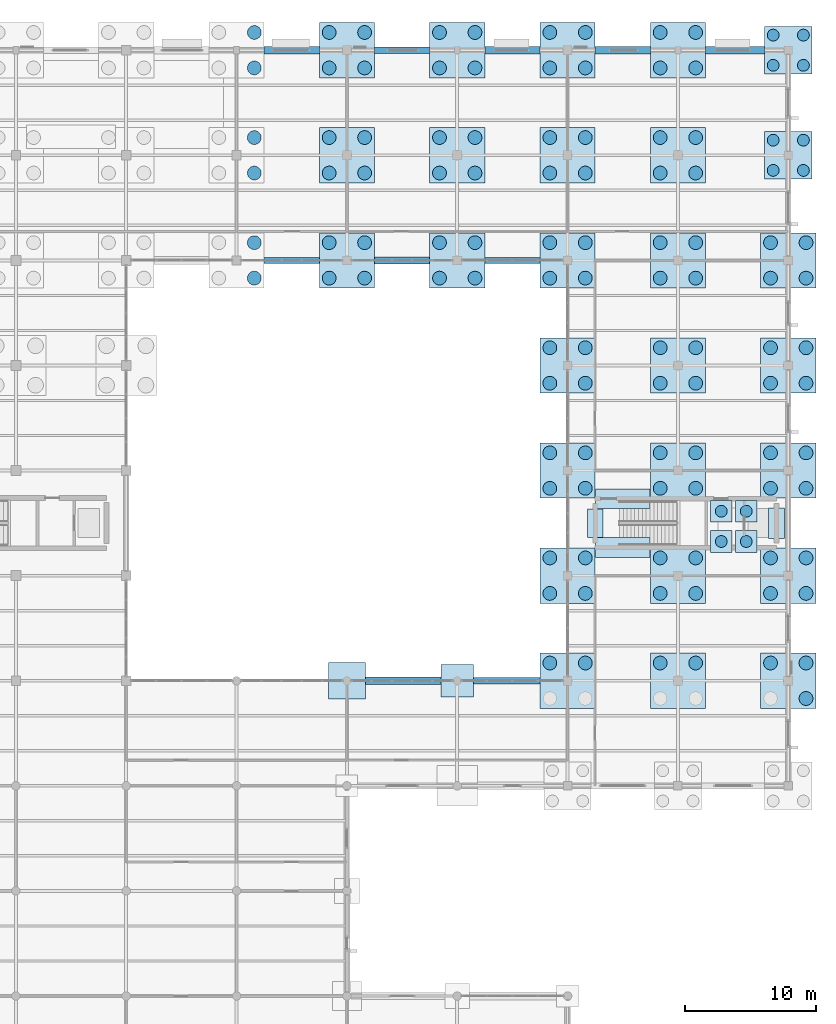
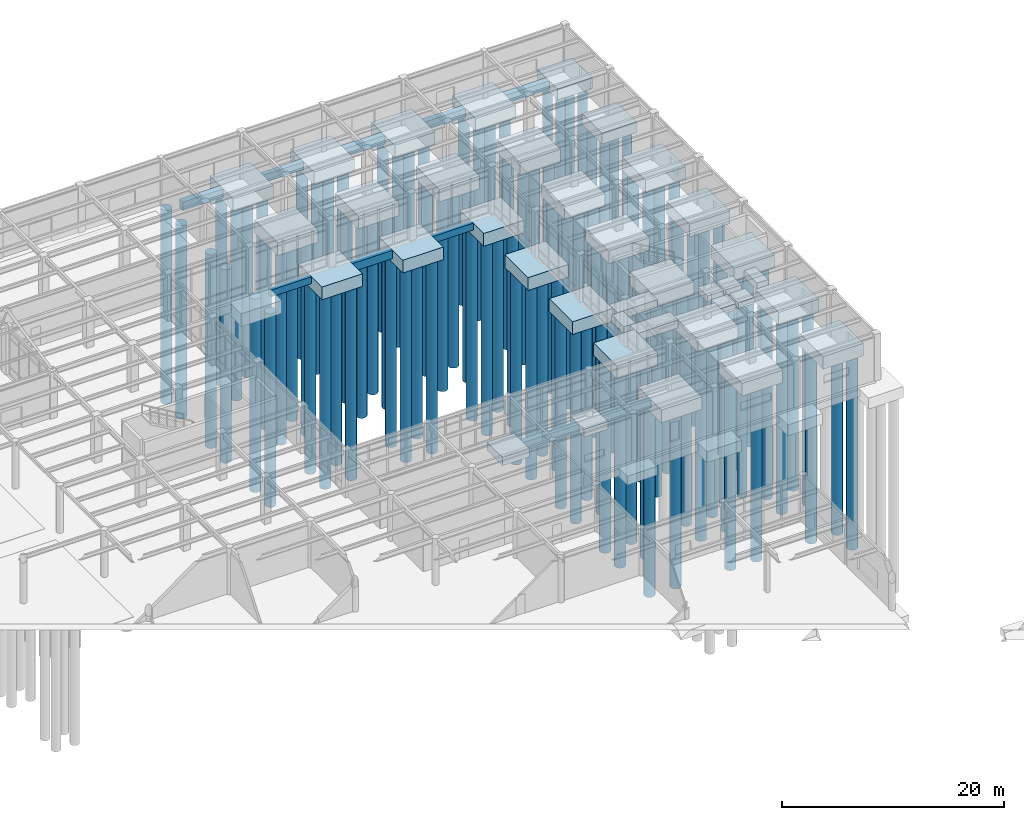
# One storey, part 4 of 138: 113 piles, 47 footings.
"""IFC4 building model written with IfcOpenShell, lengths in metres."""

from ifc_helpers import new_model, si_unit, direction, frame, origin, origin_2d, place, context, subcontext, project, spatial, rectangle, circle, extrude, material, material_profile, profile_set, type_object, element, save


model = new_model("IFC4")

# Units and contexts
model_context = context("Model", 3, precision=1e-05, world=origin(), true_north=direction((0.0, 1.0)))
body_context = subcontext(model_context, "Body", "Model", "MODEL_VIEW")
ifc_project = project(units=[si_unit("LENGTHUNIT", "METRE"), si_unit("AREAUNIT", "SQUARE_METRE"), si_unit("VOLUMEUNIT", "CUBIC_METRE"), si_unit("PLANEANGLEUNIT", "RADIAN"), si_unit("MASSUNIT", "GRAM", prefix="KILO")], contexts=[model_context])

# Site, building, storey
site_placement = place(None, origin())
site = spatial("IfcSite", under=ifc_project, at=site_placement, CompositionType="ELEMENT")
building_placement = place(site_placement, origin())
building = spatial("IfcBuilding", under=site, at=building_placement, Name="Kranzveld Transit Interchange", CompositionType="ELEMENT")
storey_placement = place(building_placement, origin())
storey = spatial("IfcBuildingStorey", under=building, at=storey_placement, Name="L00", CompositionType="ELEMENT", Elevation=0.0)

# Footings
ifc_material_1 = material(Name="Concrete C40/50", Category="concrete")
ifc_material_profile_1 = material_profile(ifc_material_1, rectangle(XDim=0.449951171875, YDim=0.75, at=origin_2d()), Name="RC 450x750")
ifc_profile_set_1 = profile_set([ifc_material_profile_1], Name="Concrete C40/50")
footing_type_1 = type_object("IfcFootingType", Name="Footing Beam 450x750 C40/50", PredefinedType="FOOTING_BEAM", material=ifc_profile_set_1)
footing_1_placement = place(storey_placement, frame((128.10009765625, 96.0, -0.794921875), z_axis=(1.0, 0.0, 0.0), x_axis=(0.0, 1.0, 0.0)))
element("IfcFooting", 1, at=footing_1_placement, inside=storey, type_object=footing_type_1, Name="Ground Tie Beam 16-17/N", PredefinedType="FOOTING_BEAM", context=body_context, shape_type="SweptSolid", body=[
    extrude(rectangle(XDim=0.449951171875, YDim=0.75, at=origin_2d()), origin(), (0.0, 0.0, 1.0), 4.199951171875),
])
footing_2_placement = place(storey_placement, frame((144.89990234375, 96.0, -0.794921875), z_axis=(1.0, 0.0, 0.0), x_axis=(0.0, 1.0, 0.0)))
element("IfcFooting", 2, at=footing_2_placement, inside=storey, type_object=footing_type_1, Name="Ground Tie Beam 18-19/N", PredefinedType="FOOTING_BEAM", context=body_context, shape_type="SweptSolid", body=[
    extrude(rectangle(XDim=0.449951171875, YDim=0.75, at=origin_2d()), origin(), (0.0, 0.0, 1.0), 4.2001953125),
])
ifc_material_2 = material(Name="Concrete C40/50", Category="concrete")
ifc_material_profile_2 = material_profile(ifc_material_2, rectangle(XDim=0.5, YDim=0.85009765625, at=origin_2d()), Name="RC 500x850")
ifc_profile_set_2 = profile_set([ifc_material_profile_2], Name="Concrete C40/50")
footing_type_2 = type_object("IfcFootingType", Name="Footing Beam 500x850 C40/50", PredefinedType="FOOTING_BEAM", material=ifc_profile_set_2)
footing_3_placement = place(storey_placement, frame((136.5, 112.0, -0.844970703125), z_axis=(1.0, 0.0, 0.0), x_axis=(0.0, 1.0, 0.0)))
element("IfcFooting", 3, at=footing_3_placement, inside=storey, type_object=footing_type_2, Name="Ground Tie Beam 17-18/Q", PredefinedType="FOOTING_BEAM", context=body_context, shape_type="SweptSolid", body=[
    extrude(rectangle(XDim=0.5, YDim=0.85009765625, at=origin_2d()), origin(), (0.0, 0.0, 1.0), 4.199951171875),
])
footing_4_placement = place(storey_placement, frame((144.050048828125, 64.0, -0.844970703125), z_axis=(1.0, 0.0, 0.0), x_axis=(0.0, 1.0, 0.0)))
element("IfcFooting", 4, at=footing_4_placement, inside=storey, type_object=footing_type_2, Name="Ground Tie Beam 18-19/J", PredefinedType="FOOTING_BEAM", context=body_context, shape_type="SweptSolid", body=[
    extrude(rectangle(XDim=0.5, YDim=0.85009765625, at=origin_2d()), origin(), (0.0, 0.0, 1.0), 5.050048828125),
])
ifc_material_3 = material(Name="Concrete C40/50", Category="concrete")
ifc_material_profile_3 = material_profile(ifc_material_3, rectangle(XDim=0.550048828125, YDim=0.89990234375, at=origin_2d()), Name="RC 550x900")
ifc_profile_set_3 = profile_set([ifc_material_profile_3], Name="Concrete C40/50")
footing_type_3 = type_object("IfcFootingType", Name="Footing Beam 550x900 C40/50", PredefinedType="FOOTING_BEAM", material=ifc_profile_set_3)
footing_5_placement = place(storey_placement, frame((136.5, 96.0, -0.8701171875), z_axis=(1.0, 0.0, 0.0), x_axis=(0.0, 1.0, 0.0)))
element("IfcFooting", 5, at=footing_5_placement, inside=storey, type_object=footing_type_3, Name="Ground Tie Beam 17-18/N", PredefinedType="FOOTING_BEAM", context=body_context, shape_type="SweptSolid", body=[
    extrude(rectangle(XDim=0.550048828125, YDim=0.89990234375, at=origin_2d()), origin(), (0.0, 0.0, 1.0), 4.199951171875),
])
ifc_material_4 = material(Name="Concrete C40/50", Category="concrete")
ifc_material_profile_4 = material_profile(ifc_material_4, rectangle(XDim=0.60009765625, YDim=0.949951171875, at=origin_2d()), Name="RC 600x950")
ifc_profile_set_4 = profile_set([ifc_material_profile_4], Name="Concrete C40/50")
footing_type_4 = type_object("IfcFootingType", Name="Footing Beam 600x950 C40/50", PredefinedType="FOOTING_BEAM", material=ifc_profile_set_4)
footing_6_placement = place(storey_placement, frame((128.10009765625, 112.0, -0.89501953125), z_axis=(1.0, 0.0, 0.0), x_axis=(0.0, 1.0, 0.0)))
element("IfcFooting", 6, at=footing_6_placement, inside=storey, type_object=footing_type_4, Name="Ground Tie Beam 16-17/Q", PredefinedType="FOOTING_BEAM", context=body_context, shape_type="SweptSolid", body=[
    extrude(rectangle(XDim=0.60009765625, YDim=0.949951171875, at=origin_2d()), origin(), (0.0, 0.0, 1.0), 4.199951171875),
])
footing_7_placement = place(storey_placement, frame((135.800048828125, 64.0, -0.89501953125), z_axis=(1.0, 0.0, 0.0), x_axis=(0.0, 1.0, 0.0)))
element("IfcFooting", 7, at=footing_7_placement, inside=storey, type_object=footing_type_4, Name="Ground Tie Beam 17-18/J", PredefinedType="FOOTING_BEAM", context=body_context, shape_type="SweptSolid", body=[
    extrude(rectangle(XDim=0.60009765625, YDim=0.949951171875, at=origin_2d()), origin(), (0.0, 0.0, 1.0), 5.75),
])
footing_8_placement = place(storey_placement, frame((144.89990234375, 112.0, -0.89501953125), z_axis=(1.0, 0.0, 0.0), x_axis=(0.0, 1.0, 0.0)))
element("IfcFooting", 8, at=footing_8_placement, inside=storey, type_object=footing_type_4, Name="Ground Tie Beam 18-19/Q", PredefinedType="FOOTING_BEAM", context=body_context, shape_type="SweptSolid", body=[
    extrude(rectangle(XDim=0.60009765625, YDim=0.949951171875, at=origin_2d()), origin(), (0.0, 0.0, 1.0), 4.2001953125),
])
footing_9_placement = place(storey_placement, frame((153.300048828125, 112.0, -0.89501953125), z_axis=(1.0, 0.0, 0.0), x_axis=(0.0, 1.0, 0.0)))
element("IfcFooting", 9, at=footing_9_placement, inside=storey, type_object=footing_type_4, Name="Ground Tie Beam 19-20/Q", PredefinedType="FOOTING_BEAM", context=body_context, shape_type="SweptSolid", body=[
    extrude(rectangle(XDim=0.60009765625, YDim=0.949951171875, at=origin_2d()), origin(), (0.0, 0.0, 1.0), 4.199951171875),
])
footing_10_placement = place(storey_placement, frame((161.699951171875, 112.0, -0.89501953125), z_axis=(1.0, 0.0, 0.0), x_axis=(0.0, 1.0, 0.0)))
element("IfcFooting", 10, at=footing_10_placement, inside=storey, type_object=footing_type_4, Name="Ground Tie Beam 20-21/Q", PredefinedType="FOOTING_BEAM", context=body_context, shape_type="SweptSolid", body=[
    extrude(rectangle(XDim=0.60009765625, YDim=0.949951171875, at=origin_2d()), origin(), (0.0, 0.0, 1.0), 4.5),
])
ifc_material_5 = material(Name="Concrete C40/50", Category="concrete")
footing_type_5 = type_object("IfcFootingType", Name="Pad Footing 1650x1650x650 C40/50", PredefinedType="PAD_FOOTING", material=ifc_material_5)
for number, where, z_axis, x_axis, name in (
    (11, (162.89990234375, 74.60009765625, -1.669921875), (0.0, 0.0, 1.0), (1.0, 0.0, 0.0), "PIT-C4 Corner Pad Footing 1"),
    (12, (164.800048828125, 74.60009765625, -1.669921875), (0.0, 0.0, 1.0), (1.0, 0.0, 0.0), "PIT-C4 Corner Pad Footing 2"),
    (13, (162.89990234375, 76.89990234375, -1.669921875), (0.0, 0.0, 1.0), (1.0, 0.0, 0.0), "PIT-C4 Corner Pad Footing 3"),
    (14, (164.800048828125, 76.89990234375, -1.669921875), (0.0, 0.0, 1.0), (1.0, 0.0, 0.0), "PIT-C4 Corner Pad Footing 4"),
):
    element("IfcFooting", number, at=place(storey_placement, frame(where, z_axis=z_axis, x_axis=x_axis)), inside=storey, type_object=footing_type_5, Name=name, PredefinedType="PAD_FOOTING", context=body_context, shape_type="SweptSolid", body=[
        extrude(rectangle(XDim=1.64990234375, YDim=1.64990234375, at=origin_2d()), origin(), (0.0, 0.0, 1.0), 0.64990234375),
    ])
ifc_material_6 = material(Name="Concrete C40/50", Category="concrete")
footing_type_6 = type_object("IfcFootingType", Name="Pad Footing 2500x2500x820 C40/50", PredefinedType="PAD_FOOTING", material=ifc_material_6)
footing_11_placement = place(storey_placement, frame((142.800048828125, 64.0, -1.240234375), z_axis=(0.0, 0.0, 1.0), x_axis=(1.0, 0.0, 0.0)))
element("IfcFooting", 15, at=footing_11_placement, inside=storey, type_object=footing_type_6, Name="Pad Footing 18/J", PredefinedType="PAD_FOOTING", context=body_context, shape_type="SweptSolid", body=[
    extrude(rectangle(XDim=2.5, YDim=2.5, at=origin_2d()), origin(), (0.0, 0.0, 1.0), 0.820068359375),
])
ifc_material_7 = material(Name="Concrete C40/50", Category="concrete")
footing_type_7 = type_object("IfcFootingType", Name="Pad Footing 2800x2800x900 C40/50", PredefinedType="PAD_FOOTING", material=ifc_material_7)
footing_12_placement = place(storey_placement, frame((134.39990234375, 64.0, -1.320068359375), z_axis=(0.0, 0.0, 1.0), x_axis=(1.0, 0.0, 0.0)))
element("IfcFooting", 16, at=footing_12_placement, inside=storey, type_object=footing_type_7, Name="Pad Footing 17/J", PredefinedType="PAD_FOOTING", context=body_context, shape_type="SweptSolid", body=[
    extrude(rectangle(XDim=2.800048828125, YDim=2.800048828125, at=origin_2d()), origin(), (0.0, 0.0, 1.0), 0.89990234375),
])

# Piles
ifc_material_8 = material(Name="Concrete C40/50", Category="concrete")
ifc_material_profile_5 = material_profile(ifc_material_8, circle(Radius=0.52490234375, at=origin_2d()), Name="BORED PILE 1050")
ifc_profile_set_5 = profile_set([ifc_material_profile_5], Name="Concrete C40/50")
pile_type_1 = type_object("IfcPileType", Name="Pile Bored 1050 C40/50", PredefinedType="BORED", material=ifc_profile_set_5)
for number, where, z_axis, x_axis, name in (
    (17, (127.35009765625, 94.64990234375, -1.719970703125), (0.0, 0.0, -1.0), (1.0, 0.0, 0.0), "Bored Pile 16/N-P2"),
    (18, (127.35009765625, 97.35009765625, -1.719970703125), (0.0, 0.0, -1.0), (1.0, 0.0, 0.0), "Bored Pile 16/N-P4"),
    (19, (127.35009765625, 102.64990234375, -1.719970703125), (0.0, 0.0, -1.0), (1.0, 0.0, 0.0), "Bored Pile 16/P-P2"),
    (20, (127.35009765625, 105.35009765625, -1.719970703125), (0.0, 0.0, -1.0), (1.0, 0.0, 0.0), "Bored Pile 16/P-P4"),
    (21, (127.35009765625, 110.64990234375, -1.719970703125), (0.0, 0.0, -1.0), (1.0, 0.0, 0.0), "Bored Pile 16/Q-P2"),
    (22, (127.35009765625, 113.35009765625, -1.719970703125), (0.0, 0.0, -1.0), (1.0, 0.0, 0.0), "Bored Pile 16/Q-P4"),
    (23, (133.050048828125, 94.64990234375, -1.719970703125), (0.0, 0.0, -1.0), (1.0, 0.0, 0.0), "Bored Pile 17/N-P1"),
    (24, (135.75, 94.64990234375, -1.719970703125), (0.0, 0.0, -1.0), (1.0, 0.0, 0.0), "Bored Pile 17/N-P2"),
    (25, (133.050048828125, 97.35009765625, -1.719970703125), (0.0, 0.0, -1.0), (1.0, 0.0, 0.0), "Bored Pile 17/N-P3"),
    (26, (135.75, 97.35009765625, -1.719970703125), (0.0, 0.0, -1.0), (1.0, 0.0, 0.0), "Bored Pile 17/N-P4"),
    (27, (133.050048828125, 102.64990234375, -1.719970703125), (0.0, 0.0, -1.0), (1.0, 0.0, 0.0), "Bored Pile 17/P-P1"),
    (28, (135.75, 102.64990234375, -1.719970703125), (0.0, 0.0, -1.0), (1.0, 0.0, 0.0), "Bored Pile 17/P-P2"),
    (29, (133.050048828125, 105.35009765625, -1.719970703125), (0.0, 0.0, -1.0), (1.0, 0.0, 0.0), "Bored Pile 17/P-P3"),
    (30, (135.75, 105.35009765625, -1.719970703125), (0.0, 0.0, -1.0), (1.0, 0.0, 0.0), "Bored Pile 17/P-P4"),
    (31, (133.050048828125, 110.64990234375, -1.719970703125), (0.0, 0.0, -1.0), (1.0, 0.0, 0.0), "Bored Pile 17/Q-P1"),
    (32, (135.75, 110.64990234375, -1.719970703125), (0.0, 0.0, -1.0), (1.0, 0.0, 0.0), "Bored Pile 17/Q-P2"),
    (33, (133.050048828125, 113.35009765625, -1.719970703125), (0.0, 0.0, -1.0), (1.0, 0.0, 0.0), "Bored Pile 17/Q-P3"),
    (34, (135.75, 113.35009765625, -1.719970703125), (0.0, 0.0, -1.0), (1.0, 0.0, 0.0), "Bored Pile 17/Q-P4"),
    (35, (141.449951171875, 94.64990234375, -1.719970703125), (0.0, 0.0, -1.0), (1.0, 0.0, 0.0), "Bored Pile 18/N-P1"),
    (36, (144.14990234375, 94.64990234375, -1.719970703125), (0.0, 0.0, -1.0), (1.0, 0.0, 0.0), "Bored Pile 18/N-P2"),
    (37, (141.449951171875, 97.35009765625, -1.719970703125), (0.0, 0.0, -1.0), (1.0, 0.0, 0.0), "Bored Pile 18/N-P3"),
    (38, (144.14990234375, 97.35009765625, -1.719970703125), (0.0, 0.0, -1.0), (1.0, 0.0, 0.0), "Bored Pile 18/N-P4"),
    (39, (141.449951171875, 102.64990234375, -1.719970703125), (0.0, 0.0, -1.0), (1.0, 0.0, 0.0), "Bored Pile 18/P-P1"),
    (40, (144.14990234375, 102.64990234375, -1.719970703125), (0.0, 0.0, -1.0), (1.0, 0.0, 0.0), "Bored Pile 18/P-P2"),
    (41, (141.449951171875, 105.35009765625, -1.719970703125), (0.0, 0.0, -1.0), (1.0, 0.0, 0.0), "Bored Pile 18/P-P3"),
    (42, (144.14990234375, 105.35009765625, -1.719970703125), (0.0, 0.0, -1.0), (1.0, 0.0, 0.0), "Bored Pile 18/P-P4"),
    (43, (141.449951171875, 110.64990234375, -1.719970703125), (0.0, 0.0, -1.0), (1.0, 0.0, 0.0), "Bored Pile 18/Q-P1"),
    (44, (144.14990234375, 110.64990234375, -1.719970703125), (0.0, 0.0, -1.0), (1.0, 0.0, 0.0), "Bored Pile 18/Q-P2"),
    (45, (141.449951171875, 113.35009765625, -1.719970703125), (0.0, 0.0, -1.0), (1.0, 0.0, 0.0), "Bored Pile 18/Q-P3"),
    (46, (144.14990234375, 113.35009765625, -1.719970703125), (0.0, 0.0, -1.0), (1.0, 0.0, 0.0), "Bored Pile 18/Q-P4"),
    (47, (149.85009765625, 65.35009765625, -1.719970703125), (0.0, 0.0, -1.0), (1.0, 0.0, 0.0), "Bored Pile 19/J-P3"),
    (48, (152.550048828125, 65.35009765625, -1.719970703125), (0.0, 0.0, -1.0), (1.0, 0.0, 0.0), "Bored Pile 19/J-P4"),
    (49, (149.85009765625, 70.64990234375, -1.719970703125), (0.0, 0.0, -1.0), (1.0, 0.0, 0.0), "Bored Pile 19/K-P1"),
    (50, (152.550048828125, 70.64990234375, -1.719970703125), (0.0, 0.0, -1.0), (1.0, 0.0, 0.0), "Bored Pile 19/K-P2"),
    (51, (149.85009765625, 73.35009765625, -1.719970703125), (0.0, 0.0, -1.0), (1.0, 0.0, 0.0), "Bored Pile 19/K-P3"),
    (52, (152.550048828125, 73.35009765625, -1.719970703125), (0.0, 0.0, -1.0), (1.0, 0.0, 0.0), "Bored Pile 19/K-P4"),
    (53, (149.85009765625, 78.64990234375, -1.719970703125), (0.0, 0.0, -1.0), (1.0, 0.0, 0.0), "Bored Pile 19/L-P1"),
    (54, (152.550048828125, 78.64990234375, -1.719970703125), (0.0, 0.0, -1.0), (1.0, 0.0, 0.0), "Bored Pile 19/L-P2"),
    (55, (149.85009765625, 81.35009765625, -1.719970703125), (0.0, 0.0, -1.0), (1.0, 0.0, 0.0), "Bored Pile 19/L-P3"),
    (56, (152.550048828125, 81.35009765625, -1.719970703125), (0.0, 0.0, -1.0), (1.0, 0.0, 0.0), "Bored Pile 19/L-P4"),
    (57, (149.85009765625, 86.64990234375, -1.719970703125), (0.0, 0.0, -1.0), (1.0, 0.0, 0.0), "Bored Pile 19/M-P1"),
    (58, (152.550048828125, 86.64990234375, -1.719970703125), (0.0, 0.0, -1.0), (1.0, 0.0, 0.0), "Bored Pile 19/M-P2"),
    (59, (149.85009765625, 89.35009765625, -1.719970703125), (0.0, 0.0, -1.0), (1.0, 0.0, 0.0), "Bored Pile 19/M-P3"),
    (60, (152.550048828125, 89.35009765625, -1.719970703125), (0.0, 0.0, -1.0), (1.0, 0.0, 0.0), "Bored Pile 19/M-P4"),
    (61, (149.85009765625, 94.64990234375, -1.719970703125), (0.0, 0.0, -1.0), (1.0, 0.0, 0.0), "Bored Pile 19/N-P1"),
    (62, (152.550048828125, 94.64990234375, -1.719970703125), (0.0, 0.0, -1.0), (1.0, 0.0, 0.0), "Bored Pile 19/N-P2"),
    (63, (149.85009765625, 97.35009765625, -1.719970703125), (0.0, 0.0, -1.0), (1.0, 0.0, 0.0), "Bored Pile 19/N-P3"),
    (64, (152.550048828125, 97.35009765625, -1.719970703125), (0.0, 0.0, -1.0), (1.0, 0.0, 0.0), "Bored Pile 19/N-P4"),
    (65, (149.85009765625, 102.64990234375, -1.719970703125), (0.0, 0.0, -1.0), (1.0, 0.0, 0.0), "Bored Pile 19/P-P1"),
    (66, (152.550048828125, 102.64990234375, -1.719970703125), (0.0, 0.0, -1.0), (1.0, 0.0, 0.0), "Bored Pile 19/P-P2"),
    (67, (149.85009765625, 105.35009765625, -1.719970703125), (0.0, 0.0, -1.0), (1.0, 0.0, 0.0), "Bored Pile 19/P-P3"),
    (68, (152.550048828125, 105.35009765625, -1.719970703125), (0.0, 0.0, -1.0), (1.0, 0.0, 0.0), "Bored Pile 19/P-P4"),
    (69, (149.85009765625, 110.64990234375, -1.719970703125), (0.0, 0.0, -1.0), (1.0, 0.0, 0.0), "Bored Pile 19/Q-P1"),
    (70, (152.550048828125, 110.64990234375, -1.719970703125), (0.0, 0.0, -1.0), (1.0, 0.0, 0.0), "Bored Pile 19/Q-P2"),
    (71, (149.85009765625, 113.35009765625, -1.719970703125), (0.0, 0.0, -1.0), (1.0, 0.0, 0.0), "Bored Pile 19/Q-P3"),
    (72, (152.550048828125, 113.35009765625, -1.719970703125), (0.0, 0.0, -1.0), (1.0, 0.0, 0.0), "Bored Pile 19/Q-P4"),
    (73, (158.25, 65.35009765625, -1.719970703125), (0.0, 0.0, -1.0), (1.0, 0.0, 0.0), "Bored Pile 20/J-P3"),
    (74, (160.949951171875, 65.35009765625, -1.719970703125), (0.0, 0.0, -1.0), (1.0, 0.0, 0.0), "Bored Pile 20/J-P4"),
    (75, (158.25, 70.64990234375, -1.719970703125), (0.0, 0.0, -1.0), (1.0, 0.0, 0.0), "Bored Pile 20/K-P1"),
    (76, (160.949951171875, 70.64990234375, -1.719970703125), (0.0, 0.0, -1.0), (1.0, 0.0, 0.0), "Bored Pile 20/K-P2"),
    (77, (158.25, 73.35009765625, -1.719970703125), (0.0, 0.0, -1.0), (1.0, 0.0, 0.0), "Bored Pile 20/K-P3"),
    (78, (160.949951171875, 73.35009765625, -1.719970703125), (0.0, 0.0, -1.0), (1.0, 0.0, 0.0), "Bored Pile 20/K-P4"),
    (79, (158.25, 78.64990234375, -1.719970703125), (0.0, 0.0, -1.0), (1.0, 0.0, 0.0), "Bored Pile 20/L-P1"),
    (80, (160.949951171875, 78.64990234375, -1.719970703125), (0.0, 0.0, -1.0), (1.0, 0.0, 0.0), "Bored Pile 20/L-P2"),
    (81, (158.25, 81.35009765625, -1.719970703125), (0.0, 0.0, -1.0), (1.0, 0.0, 0.0), "Bored Pile 20/L-P3"),
    (82, (160.949951171875, 81.35009765625, -1.719970703125), (0.0, 0.0, -1.0), (1.0, 0.0, 0.0), "Bored Pile 20/L-P4"),
    (83, (158.25, 86.64990234375, -1.719970703125), (0.0, 0.0, -1.0), (1.0, 0.0, 0.0), "Bored Pile 20/M-P1"),
    (84, (160.949951171875, 86.64990234375, -1.719970703125), (0.0, 0.0, -1.0), (1.0, 0.0, 0.0), "Bored Pile 20/M-P2"),
    (85, (158.25, 89.35009765625, -1.719970703125), (0.0, 0.0, -1.0), (1.0, 0.0, 0.0), "Bored Pile 20/M-P3"),
    (86, (160.949951171875, 89.35009765625, -1.719970703125), (0.0, 0.0, -1.0), (1.0, 0.0, 0.0), "Bored Pile 20/M-P4"),
    (87, (158.25, 94.64990234375, -1.719970703125), (0.0, 0.0, -1.0), (1.0, 0.0, 0.0), "Bored Pile 20/N-P1"),
    (88, (160.949951171875, 94.64990234375, -1.719970703125), (0.0, 0.0, -1.0), (1.0, 0.0, 0.0), "Bored Pile 20/N-P2"),
    (89, (158.25, 97.35009765625, -1.719970703125), (0.0, 0.0, -1.0), (1.0, 0.0, 0.0), "Bored Pile 20/N-P3"),
    (90, (160.949951171875, 97.35009765625, -1.719970703125), (0.0, 0.0, -1.0), (1.0, 0.0, 0.0), "Bored Pile 20/N-P4"),
    (91, (158.25, 102.64990234375, -1.719970703125), (0.0, 0.0, -1.0), (1.0, 0.0, 0.0), "Bored Pile 20/P-P1"),
    (92, (160.949951171875, 102.64990234375, -1.719970703125), (0.0, 0.0, -1.0), (1.0, 0.0, 0.0), "Bored Pile 20/P-P2"),
    (93, (158.25, 105.35009765625, -1.719970703125), (0.0, 0.0, -1.0), (1.0, 0.0, 0.0), "Bored Pile 20/P-P3"),
    (94, (160.949951171875, 105.35009765625, -1.719970703125), (0.0, 0.0, -1.0), (1.0, 0.0, 0.0), "Bored Pile 20/P-P4"),
    (95, (158.25, 110.64990234375, -1.719970703125), (0.0, 0.0, -1.0), (1.0, 0.0, 0.0), "Bored Pile 20/Q-P1"),
    (96, (160.949951171875, 110.64990234375, -1.719970703125), (0.0, 0.0, -1.0), (1.0, 0.0, 0.0), "Bored Pile 20/Q-P2"),
    (97, (158.25, 113.35009765625, -1.719970703125), (0.0, 0.0, -1.0), (1.0, 0.0, 0.0), "Bored Pile 20/Q-P3"),
    (98, (160.949951171875, 113.35009765625, -1.719970703125), (0.0, 0.0, -1.0), (1.0, 0.0, 0.0), "Bored Pile 20/Q-P4"),
    (99, (169.35009765625, 62.64990234375, -1.719970703125), (0.0, 0.0, -1.0), (1.0, 0.0, 0.0), "Bored Pile 21/J-P2"),
    (100, (166.64990234375, 65.35009765625, -1.719970703125), (0.0, 0.0, -1.0), (1.0, 0.0, 0.0), "Bored Pile 21/J-P3"),
    (101, (169.35009765625, 65.35009765625, -1.719970703125), (0.0, 0.0, -1.0), (1.0, 0.0, 0.0), "Bored Pile 21/J-P4"),
    (102, (166.64990234375, 70.64990234375, -1.719970703125), (0.0, 0.0, -1.0), (1.0, 0.0, 0.0), "Bored Pile 21/K-P1"),
    (103, (169.35009765625, 70.64990234375, -1.719970703125), (0.0, 0.0, -1.0), (1.0, 0.0, 0.0), "Bored Pile 21/K-P2"),
    (104, (166.64990234375, 73.35009765625, -1.719970703125), (0.0, 0.0, -1.0), (1.0, 0.0, 0.0), "Bored Pile 21/K-P3"),
    (105, (169.35009765625, 73.35009765625, -1.719970703125), (0.0, 0.0, -1.0), (1.0, 0.0, 0.0), "Bored Pile 21/K-P4"),
    (106, (166.64990234375, 78.64990234375, -1.719970703125), (0.0, 0.0, -1.0), (1.0, 0.0, 0.0), "Bored Pile 21/L-P1"),
    (107, (169.35009765625, 78.64990234375, -1.719970703125), (0.0, 0.0, -1.0), (1.0, 0.0, 0.0), "Bored Pile 21/L-P2"),
    (108, (166.64990234375, 81.35009765625, -1.719970703125), (0.0, 0.0, -1.0), (1.0, 0.0, 0.0), "Bored Pile 21/L-P3"),
    (109, (169.35009765625, 81.35009765625, -1.719970703125), (0.0, 0.0, -1.0), (1.0, 0.0, 0.0), "Bored Pile 21/L-P4"),
    (110, (166.64990234375, 86.64990234375, -1.719970703125), (0.0, 0.0, -1.0), (1.0, 0.0, 0.0), "Bored Pile 21/M-P1"),
    (111, (169.35009765625, 86.64990234375, -1.719970703125), (0.0, 0.0, -1.0), (1.0, 0.0, 0.0), "Bored Pile 21/M-P2"),
    (112, (166.64990234375, 89.35009765625, -1.719970703125), (0.0, 0.0, -1.0), (1.0, 0.0, 0.0), "Bored Pile 21/M-P3"),
    (113, (169.35009765625, 89.35009765625, -1.719970703125), (0.0, 0.0, -1.0), (1.0, 0.0, 0.0), "Bored Pile 21/M-P4"),
    (114, (166.64990234375, 94.64990234375, -1.719970703125), (0.0, 0.0, -1.0), (1.0, 0.0, 0.0), "Bored Pile 21/N-P1"),
    (115, (169.35009765625, 94.64990234375, -1.719970703125), (0.0, 0.0, -1.0), (1.0, 0.0, 0.0), "Bored Pile 21/N-P2"),
    (116, (166.64990234375, 97.35009765625, -1.719970703125), (0.0, 0.0, -1.0), (1.0, 0.0, 0.0), "Bored Pile 21/N-P3"),
    (117, (169.35009765625, 97.35009765625, -1.719970703125), (0.0, 0.0, -1.0), (1.0, 0.0, 0.0), "Bored Pile 21/N-P4"),
):
    element("IfcPile", number, at=place(storey_placement, frame(where, z_axis=z_axis, x_axis=x_axis)), inside=storey, type_object=pile_type_1, Name=name, PredefinedType="BORED", context=body_context, shape_type="SweptSolid", body=[
        extrude(circle(Radius=0.52490234375, at=origin_2d()), origin(), (0.0, 0.0, 1.0), 21.280029296875),
    ])
ifc_material_9 = material(Name="Concrete C40/50", Category="concrete")
ifc_material_profile_6 = material_profile(ifc_material_9, circle(Radius=0.449951171875, at=origin_2d()), Name="BORED PILE 900")
ifc_profile_set_6 = profile_set([ifc_material_profile_6], Name="Concrete C40/50")
pile_type_2 = type_object("IfcPileType", Name="Pile Bored 900 C40/50", PredefinedType="BORED", material=ifc_profile_set_6)
for number, where, z_axis, x_axis, name in (
    (118, (162.89990234375, 74.60009765625, -1.570068359375), (0.0, 0.0, -1.0), (1.0, 0.0, 0.0), "Bored Pile PIT-C4-P1"),
    (119, (164.800048828125, 74.60009765625, -1.570068359375), (0.0, 0.0, -1.0), (1.0, 0.0, 0.0), "Bored Pile PIT-C4-P2"),
    (120, (162.89990234375, 76.89990234375, -1.570068359375), (0.0, 0.0, -1.0), (1.0, 0.0, 0.0), "Bored Pile PIT-C4-P3"),
    (121, (164.800048828125, 76.89990234375, -1.570068359375), (0.0, 0.0, -1.0), (1.0, 0.0, 0.0), "Bored Pile PIT-C4-P4"),
):
    element("IfcPile", number, at=place(storey_placement, frame(where, z_axis=z_axis, x_axis=x_axis)), inside=storey, type_object=pile_type_2, Name=name, PredefinedType="BORED", context=body_context, shape_type="SweptSolid", body=[
        extrude(circle(Radius=0.449951171875, at=origin_2d()), origin(), (0.0, 0.0, 1.0), 21.429931640625),
    ])
for number, where, z_axis, x_axis, name in (
    (122, (166.85009765625, 102.85009765625, -1.52001953125), (0.0, 0.0, -1.0), (1.0, 0.0, 0.0), "Bored Pile 21/P-P1"),
    (123, (169.14990234375, 102.85009765625, -1.52001953125), (0.0, 0.0, -1.0), (1.0, 0.0, 0.0), "Bored Pile 21/P-P2"),
    (124, (166.85009765625, 105.14990234375, -1.52001953125), (0.0, 0.0, -1.0), (1.0, 0.0, 0.0), "Bored Pile 21/P-P3"),
    (125, (169.14990234375, 105.14990234375, -1.52001953125), (0.0, 0.0, -1.0), (1.0, 0.0, 0.0), "Bored Pile 21/P-P4"),
    (126, (166.85009765625, 110.85009765625, -1.52001953125), (0.0, 0.0, -1.0), (1.0, 0.0, 0.0), "Bored Pile 21/Q-P1"),
    (127, (169.14990234375, 110.85009765625, -1.52001953125), (0.0, 0.0, -1.0), (1.0, 0.0, 0.0), "Bored Pile 21/Q-P2"),
    (128, (166.85009765625, 113.14990234375, -1.52001953125), (0.0, 0.0, -1.0), (1.0, 0.0, 0.0), "Bored Pile 21/Q-P3"),
    (129, (169.14990234375, 113.14990234375, -1.52001953125), (0.0, 0.0, -1.0), (1.0, 0.0, 0.0), "Bored Pile 21/Q-P4"),
):
    element("IfcPile", number, at=place(storey_placement, frame(where, z_axis=z_axis, x_axis=x_axis)), inside=storey, type_object=pile_type_2, Name=name, PredefinedType="BORED", context=body_context, shape_type="SweptSolid", body=[
        extrude(circle(Radius=0.449951171875, at=origin_2d()), origin(), (0.0, 0.0, 1.0), 21.47998046875),
    ])

# Footings
ifc_material_10 = material(Name="Concrete C40/50", Category="concrete")
footing_type_8 = type_object("IfcFootingType", Name="Pile Cap 3600x3600x1200 C40/50", PredefinedType="PILE_CAP", material=ifc_material_10)
for number, where, z_axis, x_axis, name in (
    (130, (168.0, 104.0, -1.6201171875), (0.0, 0.0, 1.0), (1.0, 0.0, 0.0), "Pile Cap 21/P"),
    (131, (168.0, 112.0, -1.6201171875), (0.0, 0.0, 1.0), (1.0, 0.0, 0.0), "Pile Cap 21/Q"),
):
    element("IfcFooting", number, at=place(storey_placement, frame(where, z_axis=z_axis, x_axis=x_axis)), inside=storey, type_object=footing_type_8, Name=name, PredefinedType="PILE_CAP", context=body_context, shape_type="SweptSolid", body=[
        extrude(rectangle(XDim=3.60009765625, YDim=3.60009765625, at=origin_2d()), origin(), (0.0, 0.0, 1.0), 1.199951171875),
    ])
ifc_material_11 = material(Name="Concrete C40/50", Category="concrete")
footing_type_9 = type_object("IfcFootingType", Name="Pile Cap 4200x4200x1400 C40/50", PredefinedType="PILE_CAP", material=ifc_material_11)
for number, where, z_axis, x_axis, name in (
    (132, (134.39990234375, 96.0, -1.820068359375), (0.0, 0.0, 1.0), (1.0, 0.0, 0.0), "Pile Cap 17/N"),
    (133, (134.39990234375, 104.0, -1.820068359375), (0.0, 0.0, 1.0), (1.0, 0.0, 0.0), "Pile Cap 17/P"),
    (134, (134.39990234375, 112.0, -1.820068359375), (0.0, 0.0, 1.0), (1.0, 0.0, 0.0), "Pile Cap 17/Q"),
    (135, (142.800048828125, 96.0, -1.820068359375), (0.0, 0.0, 1.0), (1.0, 0.0, 0.0), "Pile Cap 18/N"),
    (136, (142.800048828125, 104.0, -1.820068359375), (0.0, 0.0, 1.0), (1.0, 0.0, 0.0), "Pile Cap 18/P"),
    (137, (142.800048828125, 112.0, -1.820068359375), (0.0, 0.0, 1.0), (1.0, 0.0, 0.0), "Pile Cap 18/Q"),
    (138, (151.199951171875, 64.0, -1.820068359375), (0.0, 0.0, 1.0), (1.0, 0.0, 0.0), "Pile Cap 19/J"),
    (139, (151.199951171875, 72.0, -1.820068359375), (0.0, 0.0, 1.0), (1.0, 0.0, 0.0), "Pile Cap 19/K"),
    (140, (151.199951171875, 80.0, -1.820068359375), (0.0, 0.0, 1.0), (1.0, 0.0, 0.0), "Pile Cap 19/L"),
    (141, (151.199951171875, 88.0, -1.820068359375), (0.0, 0.0, 1.0), (1.0, 0.0, 0.0), "Pile Cap 19/M"),
    (142, (151.199951171875, 96.0, -1.820068359375), (0.0, 0.0, 1.0), (1.0, 0.0, 0.0), "Pile Cap 19/N"),
    (143, (151.199951171875, 104.0, -1.820068359375), (0.0, 0.0, 1.0), (1.0, 0.0, 0.0), "Pile Cap 19/P"),
    (144, (151.199951171875, 112.0, -1.820068359375), (0.0, 0.0, 1.0), (1.0, 0.0, 0.0), "Pile Cap 19/Q"),
    (145, (159.60009765625, 64.0, -1.820068359375), (0.0, 0.0, 1.0), (1.0, 0.0, 0.0), "Pile Cap 20/J"),
    (146, (159.60009765625, 72.0, -1.820068359375), (0.0, 0.0, 1.0), (1.0, 0.0, 0.0), "Pile Cap 20/K"),
    (147, (159.60009765625, 80.0, -1.820068359375), (0.0, 0.0, 1.0), (1.0, 0.0, 0.0), "Pile Cap 20/L"),
    (148, (159.60009765625, 88.0, -1.820068359375), (0.0, 0.0, 1.0), (1.0, 0.0, 0.0), "Pile Cap 20/M"),
    (149, (159.60009765625, 96.0, -1.820068359375), (0.0, 0.0, 1.0), (1.0, 0.0, 0.0), "Pile Cap 20/N"),
    (150, (159.60009765625, 104.0, -1.820068359375), (0.0, 0.0, 1.0), (1.0, 0.0, 0.0), "Pile Cap 20/P"),
    (151, (159.60009765625, 112.0, -1.820068359375), (0.0, 0.0, 1.0), (1.0, 0.0, 0.0), "Pile Cap 20/Q"),
    (152, (168.0, 64.0, -1.820068359375), (0.0, 0.0, 1.0), (1.0, 0.0, 0.0), "Pile Cap 21/J"),
    (153, (168.0, 72.0, -1.820068359375), (0.0, 0.0, 1.0), (1.0, 0.0, 0.0), "Pile Cap 21/K"),
    (154, (168.0, 80.0, -1.820068359375), (0.0, 0.0, 1.0), (1.0, 0.0, 0.0), "Pile Cap 21/L"),
    (155, (168.0, 88.0, -1.820068359375), (0.0, 0.0, 1.0), (1.0, 0.0, 0.0), "Pile Cap 21/M"),
    (156, (168.0, 96.0, -1.820068359375), (0.0, 0.0, 1.0), (1.0, 0.0, 0.0), "Pile Cap 21/N"),
):
    element("IfcFooting", number, at=place(storey_placement, frame(where, z_axis=z_axis, x_axis=x_axis)), inside=storey, type_object=footing_type_9, Name=name, PredefinedType="PILE_CAP", context=body_context, shape_type="SweptSolid", body=[
        extrude(rectangle(XDim=4.199951171875, YDim=4.199951171875, at=origin_2d()), origin(), (0.0, 0.0, 1.0), 1.39990234375),
    ])
ifc_material_12 = material(Name="Concrete C40/50", Category="concrete")
ifc_material_profile_7 = material_profile(ifc_material_12, rectangle(XDim=1.199951171875, YDim=0.75, at=origin_2d()), Name="SF 1200x750")
ifc_profile_set_7 = profile_set([ifc_material_profile_7], Name="Concrete C40/50")
footing_type_10 = type_object("IfcFootingType", Name="Strip Footing 1200x750 C40/50", PredefinedType="STRIP_FOOTING", material=ifc_profile_set_7)
footing_13_placement = place(storey_placement, frame((153.300048828125, 74.9150390625, -0.794921875), z_axis=(0.0, 1.0, 0.0), x_axis=(-1.0, 0.0, 0.0)))
element("IfcFooting", 157, at=footing_13_placement, inside=storey, type_object=footing_type_10, Name="Core C4 Strip Footing W", PredefinedType="STRIP_FOOTING", context=body_context, shape_type="SweptSolid", body=[
    extrude(rectangle(XDim=1.199951171875, YDim=0.75, at=origin_2d()), origin(), (0.0, 0.0, 1.0), 2.169921875),
])
footing_14_placement = place(storey_placement, frame((167.10009765625, 74.840087890625, -0.794921875), z_axis=(0.0, 1.0, 0.0), x_axis=(-1.0, 0.0, 0.0)))
element("IfcFooting", 158, at=footing_14_placement, inside=storey, type_object=footing_type_10, Name="Core C4 Strip Footing E", PredefinedType="STRIP_FOOTING", context=body_context, shape_type="SweptSolid", body=[
    extrude(rectangle(XDim=1.199951171875, YDim=0.75, at=origin_2d()), origin(), (0.0, 0.0, 1.0), 2.31982421875),
])
ifc_material_13 = material(Name="Concrete C40/50", Category="concrete")
ifc_material_profile_8 = material_profile(ifc_material_13, rectangle(XDim=1.5, YDim=0.85009765625, at=origin_2d()), Name="SF 1500x850")
ifc_profile_set_8 = profile_set([ifc_material_profile_8], Name="Concrete C40/50")
footing_type_11 = type_object("IfcFootingType", Name="Strip Footing 1500x850 C40/50", PredefinedType="STRIP_FOOTING", material=ifc_profile_set_8)
for number, where, z_axis, x_axis, name in (
    (159, (153.324951171875, 74.139892578125, -0.844970703125), (1.0, 0.0, 0.0), (0.0, 1.0, 0.0), "Core C4 Strip Footing S"),
    (160, (153.324951171875, 77.860107421875, -0.844970703125), (1.0, 0.0, 0.0), (0.0, 1.0, 0.0), "Core C4 Strip Footing N"),
):
    element("IfcFooting", number, at=place(storey_placement, frame(where, z_axis=z_axis, x_axis=x_axis)), inside=storey, type_object=footing_type_11, Name=name, PredefinedType="STRIP_FOOTING", context=body_context, shape_type="SweptSolid", body=[
        extrude(rectangle(XDim=1.5, YDim=0.85009765625, at=origin_2d()), origin(), (0.0, 0.0, 1.0), 4.150146484375),
    ])

save(model, "model.ifc")
